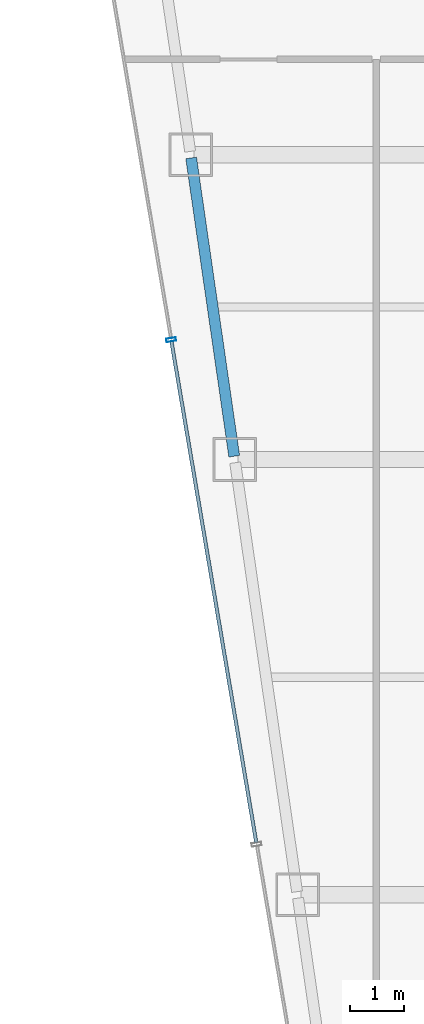
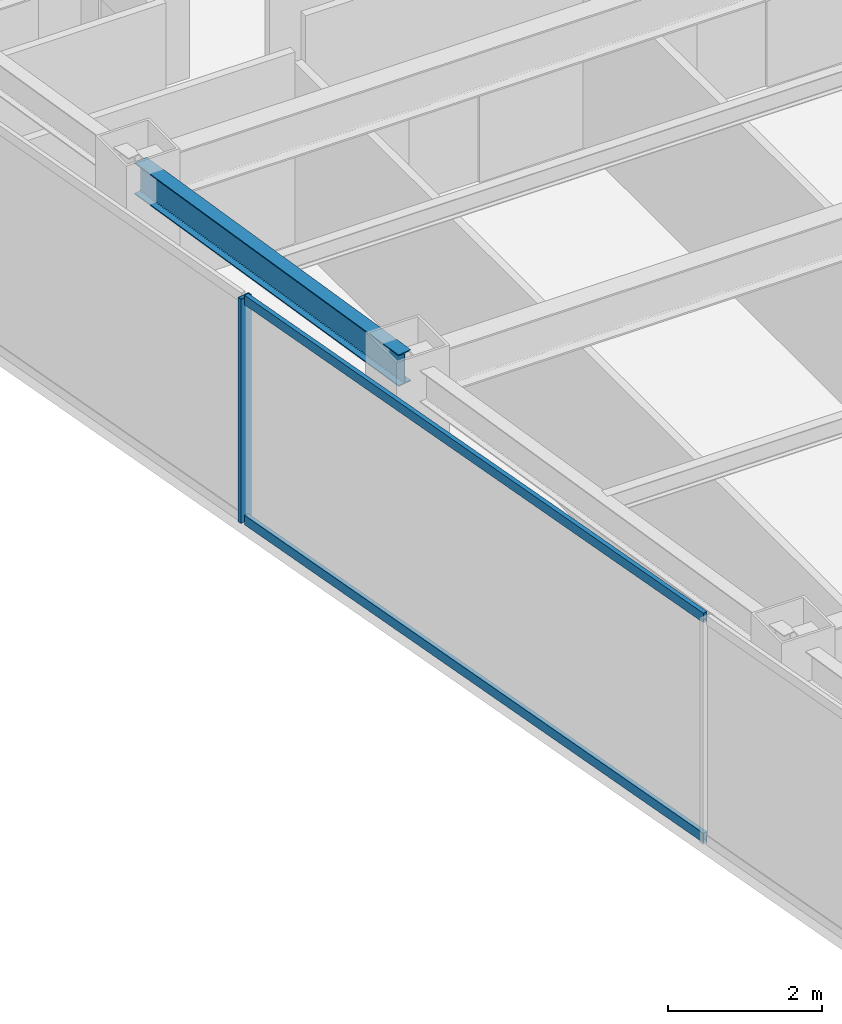
# One storey, part 9 of 35: 3 members, 1 beam, 1 element without a shape of its own.
"""IFC4 building model written with IfcOpenShell, lengths in metres."""

from ifc_helpers import new_model, si_unit, direction, frame, origin, origin_2d, place, context, subcontext, project, spatial, hollow_rectangle, i_section, extrude, material, material_profile, profile_set, type_object, element, aggregate, save


model = new_model("IFC4")

# Units and contexts
model_context = context("Model", 3, precision=1e-05, world=origin(), true_north=direction((0.0, 1.0)))
body_context = subcontext(model_context, "Body", "Model", "MODEL_VIEW")
ifc_project = project(units=[si_unit("LENGTHUNIT", "METRE"), si_unit("AREAUNIT", "SQUARE_METRE"), si_unit("VOLUMEUNIT", "CUBIC_METRE"), si_unit("PLANEANGLEUNIT", "RADIAN"), si_unit("MASSUNIT", "GRAM", prefix="KILO")], contexts=[model_context])

# Site, building, storey
site_placement = place(None, origin())
site = spatial("IfcSite", under=ifc_project, at=site_placement, CompositionType="ELEMENT")
building_placement = place(site_placement, origin())
building = spatial("IfcBuilding", under=site, at=building_placement, Name="Saevonmaru Cultural Tower", CompositionType="ELEMENT")
storey_placement = place(building_placement, frame((0.0, 0.0, 190.39990234375)))
storey = spatial("IfcBuildingStorey", under=building, at=storey_placement, Name="L43", CompositionType="ELEMENT", Elevation=190.39990234375)

# Beam
ifc_material_1 = material(Name="Steel SM355", Category="steel")
ifc_material_profile_1 = material_profile(ifc_material_1, i_section(OverallWidth=0.199951171875, OverallDepth=0.5, WebThickness=0.010009765625, FlangeThickness=0.01611328125, FilletRadius=0.02001953125, at=origin_2d()), Name="H-500x200x10x16")
ifc_profile_set_1 = profile_set([ifc_material_profile_1], Name="Steel SM355")
beam_type = type_object("IfcBeamType", Name="BM-SP-H500", PredefinedType="SPANDREL", material=ifc_profile_set_1)
beam_placement = place(storey_placement, frame((8.308349609375, 32.059326171875, 3.300048828125), z_axis=(-0.142964121327, 0.989727871697, 0.0), x_axis=(-0.989727871697, -0.142964121327, 0.0)))
element("IfcBeam", 1, at=beam_placement, inside=storey, type_object=beam_type, Name="L43 West Splayed Spandrel 3", PredefinedType="SPANDREL", context=body_context, shape_type="SweptSolid", body=[
    extrude(i_section(OverallWidth=0.199951171875, OverallDepth=0.5, WebThickness=0.010009765625, FlangeThickness=0.01611328125, FilletRadius=0.02001953125, at=origin_2d()), origin(), (0.0, 0.0, 1.0), 5.5380859375),
])

# Curtain wall, members
ifc_material_2 = material(Name="Satin Bronze Anodised Aluminium", Category="aluminium")
curtain_wall_type = type_object("IfcCurtainWallType", Name="CW-TYP-B", PredefinedType="NOTDEFINED", material=ifc_material_2)
curtain_wall_placement = place(storey_placement, origin())
curtain_wall = element("IfcCurtainWall", 2, at=curtain_wall_placement, inside=storey, type_object=curtain_wall_type, Name="L43 Unitised Curtain Wall E12", PredefinedType="NOTDEFINED")
ifc_material_profile_2 = material_profile(ifc_material_2, hollow_rectangle(XDim=0.06494140625, YDim=0.179931640625, WallThickness=0.00390625, at=origin_2d()), Name="ALU-MULL-180x65x4")
ifc_profile_set_2 = profile_set([ifc_material_profile_2], Name="Satin Bronze Anodised Aluminium")
member_type_1 = type_object("IfcMemberType", Name="ML-CW-180x65", PredefinedType="MULLION", material=ifc_profile_set_2)
member_1_placement = place(storey_placement, frame((7.14892578125, 34.199951171875, 0.0), z_axis=(0.0, 0.0, 1.0), x_axis=(0.16692169721, -0.985970155228, 0.0)))
member_1 = element("IfcMember", 3, at=member_1_placement, type_object=member_type_1, Name="CW-TW-L43-E12 mullion 3", PredefinedType="MULLION", context=body_context, shape_type="SweptSolid", body=[
    extrude(hollow_rectangle(XDim=0.06494140625, YDim=0.179931640625, WallThickness=0.00390625, at=origin_2d()), origin(), (0.0, 0.0, 1.0), 3.550048828125),
])
ifc_material_profile_3 = material_profile(ifc_material_2, hollow_rectangle(XDim=0.06494140625, YDim=0.14990234375, WallThickness=0.00390625, at=origin_2d()), Name="ALU-TRAN-150x65x4")
ifc_profile_set_3 = profile_set([ifc_material_profile_3], Name="Satin Bronze Anodised Aluminium")
member_type_2 = type_object("IfcMemberType", Name="TR-CW-150x65", PredefinedType="USERDEFINED", material=ifc_profile_set_3)
member_2_placement = place(storey_placement, frame((7.154296875, 34.16796875, 0.03271484375), z_axis=(0.166921263871, -0.985970228591, 0.0), x_axis=(0.985970228591, 0.166921263871, 0.0)))
member_2 = element("IfcMember", 4, at=member_2_placement, type_object=member_type_2, Name="CW-TW-L43-E12 transom 3.1", ObjectType="TRANSOM", PredefinedType="USERDEFINED", context=body_context, shape_type="SweptSolid", body=[
    extrude(hollow_rectangle(XDim=0.06494140625, YDim=0.14990234375, WallThickness=0.00390625, at=origin_2d()), origin(), (0.0, 0.0, 1.0), 9.33740234375),
])
member_3_placement = place(storey_placement, frame((7.154296875, 34.16796875, 3.517578125), z_axis=(0.166921263871, -0.985970228591, 0.0), x_axis=(0.985970228591, 0.166921263871, 0.0)))
member_3 = element("IfcMember", 5, at=member_3_placement, type_object=member_type_2, Name="CW-TW-L43-E12 transom 3.2", ObjectType="TRANSOM", PredefinedType="USERDEFINED", context=body_context, shape_type="SweptSolid", body=[
    extrude(hollow_rectangle(XDim=0.06494140625, YDim=0.14990234375, WallThickness=0.00390625, at=origin_2d()), origin(), (0.0, 0.0, 1.0), 9.33740234375),
])
aggregate(curtain_wall, [member_1, member_2, member_3])

save(model, "model.ifc")
